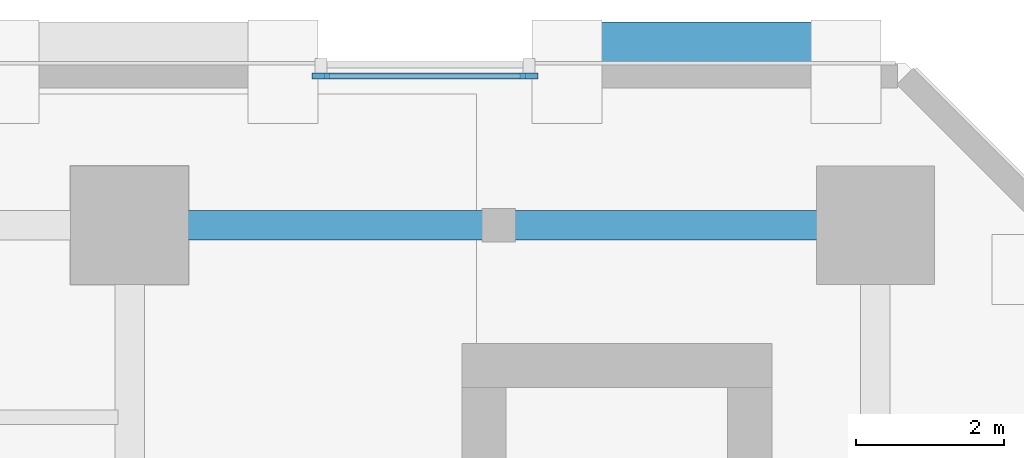
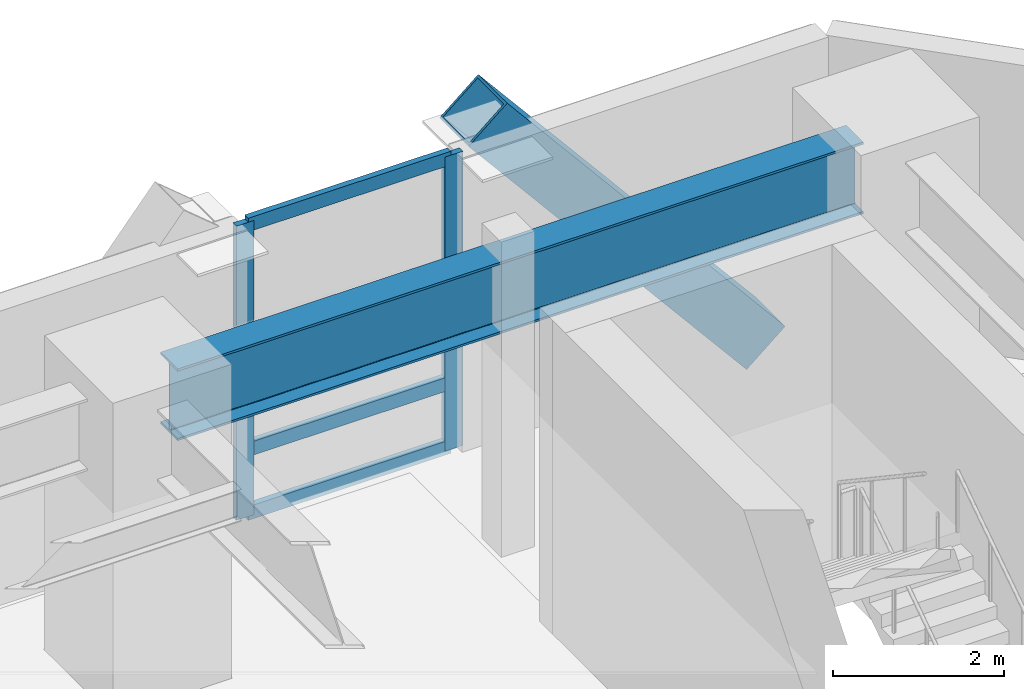
# One storey, part 11 of 26: 6 members, 1 beam, 1 element without a shape of its own.
"""IFC4 building model written with IfcOpenShell, lengths in metres."""

from ifc_helpers import new_model, si_unit, direction, frame, origin, origin_2d, place, context, subcontext, project, spatial, rectangle, hollow_rectangle, i_section, extrude, material, material_profile, profile_set, type_object, element, aggregate, save


model = new_model("IFC4")

# Units and contexts
model_context = context("Model", 3, precision=1e-05, world=origin(), true_north=direction((0.0, 1.0)))
body_context = subcontext(model_context, "Body", "Model", "MODEL_VIEW")
ifc_project = project(units=[si_unit("LENGTHUNIT", "METRE"), si_unit("AREAUNIT", "SQUARE_METRE"), si_unit("VOLUMEUNIT", "CUBIC_METRE"), si_unit("PLANEANGLEUNIT", "RADIAN"), si_unit("MASSUNIT", "GRAM", prefix="KILO")], contexts=[model_context])

# Site, building, storey
site_placement = place(None, origin())
site = spatial("IfcSite", under=ifc_project, at=site_placement, CompositionType="ELEMENT")
building_placement = place(site_placement, origin())
building = spatial("IfcBuilding", under=site, at=building_placement, Name="Quenlor Broadcast Tower", CompositionType="ELEMENT")
storey_placement = place(building_placement, frame((0.0, 0.0, 5.0)))
storey = spatial("IfcBuildingStorey", under=building, at=storey_placement, Name="L01", CompositionType="ELEMENT", Elevation=5.0)

# Curtain wall, members
ifc_material_1 = material(Name="Architectural Terracotta and Low-E Glazing", Category="masonry")
curtain_wall_type = type_object("IfcCurtainWallType", Name="Station Concourse and Crown Terracotta Curtain Wall", PredefinedType="NOTDEFINED", material=ifc_material_1)
curtain_wall_placement = place(storey_placement, origin())
curtain_wall = element("IfcCurtainWall", 1, at=curtain_wall_placement, inside=storey, type_object=curtain_wall_type, Name="L01 Curtain Wall CW6 (L01-N-FULL-G5)", PredefinedType="NOTDEFINED")
ifc_material_2 = material(Name="Aluminium 6063-T6", Category="aluminium")
ifc_material_profile_1 = material_profile(ifc_material_2, rectangle(XDim=0.08203125, YDim=0.239990234375, at=origin_2d()))
ifc_profile_set_1 = profile_set([ifc_material_profile_1], Name="Aluminium 6063-T6 MULL82x240")
member_type_1 = type_object("IfcMemberType", Name="CW6 Aluminium Mullion MULL_CW6", PredefinedType="MULLION", material=ifc_profile_set_1)
member_1_placement = place(storey_placement, frame((27.090576171875, 24.820068359375, 0.0), z_axis=(0.0, 0.0, 1.0), x_axis=(0.0, 1.0, 0.0)))
member_1 = element("IfcMember", 2, at=member_1_placement, type_object=member_type_1, Name="CW6 mullion 1", PredefinedType="MULLION", context=body_context, shape_type="SweptSolid", body=[
    extrude(rectangle(XDim=0.08203125, YDim=0.239990234375, at=origin_2d()), origin(), (0.0, 0.0, 1.0), 4.199951171875),
])
member_2_placement = place(storey_placement, frame((29.909423828125, 24.820068359375, 0.0), z_axis=(0.0, 0.0, 1.0), x_axis=(0.0, 1.0, 0.0)))
member_2 = element("IfcMember", 3, at=member_2_placement, type_object=member_type_1, Name="CW6 mullion 2", PredefinedType="MULLION", context=body_context, shape_type="SweptSolid", body=[
    extrude(rectangle(XDim=0.08203125, YDim=0.239990234375, at=origin_2d()), origin(), (0.0, 0.0, 1.0), 4.199951171875),
])
ifc_material_3 = material(Name="Aluminium 6063-T6", Category="aluminium")
ifc_material_profile_2 = material_profile(ifc_material_3, rectangle(XDim=0.08203125, YDim=0.195068359375, at=origin_2d()))
ifc_profile_set_2 = profile_set([ifc_material_profile_2], Name="Aluminium 6063-T6 TRAN82x195")
member_type_2 = type_object("IfcMemberType", Name="CW6 Aluminium Transom TRAN_CW6", PredefinedType="USERDEFINED", material=ifc_profile_set_2)
member_3_placement = place(storey_placement, frame((27.131591796875, 24.820068359375, 0.041015625), z_axis=(1.0, 0.0, 0.0), x_axis=(0.0, 1.0, 0.0)))
member_3 = element("IfcMember", 4, at=member_3_placement, type_object=member_type_2, Name="CW6 transom 1.1", ObjectType="TRANSOM", PredefinedType="USERDEFINED", context=body_context, shape_type="SweptSolid", body=[
    extrude(rectangle(XDim=0.08203125, YDim=0.195068359375, at=origin_2d()), origin(), (0.0, 0.0, 1.0), 2.73681640625),
])
member_4_placement = place(storey_placement, frame((27.131591796875, 24.820068359375, 0.949951171875), z_axis=(1.0, 0.0, 0.0), x_axis=(0.0, 1.0, 0.0)))
member_4 = element("IfcMember", 5, at=member_4_placement, type_object=member_type_2, Name="CW6 transom 1.2", ObjectType="TRANSOM", PredefinedType="USERDEFINED", context=body_context, shape_type="SweptSolid", body=[
    extrude(rectangle(XDim=0.08203125, YDim=0.195068359375, at=origin_2d()), origin(), (0.0, 0.0, 1.0), 2.73681640625),
])
member_5_placement = place(storey_placement, frame((27.131591796875, 24.820068359375, 4.158935546875), z_axis=(1.0, 0.0, 0.0), x_axis=(0.0, 1.0, 0.0)))
member_5 = element("IfcMember", 6, at=member_5_placement, type_object=member_type_2, Name="CW6 transom 1.3", ObjectType="TRANSOM", PredefinedType="USERDEFINED", context=body_context, shape_type="SweptSolid", body=[
    extrude(rectangle(XDim=0.08203125, YDim=0.195068359375, at=origin_2d()), origin(), (0.0, 0.0, 1.0), 2.73681640625),
])
aggregate(curtain_wall, [member_1, member_2, member_3, member_4, member_5])

# Member
ifc_material_4 = material(Name="Steel S355", Category="steel")
ifc_material_profile_3 = material_profile(ifc_material_4, hollow_rectangle(XDim=0.679931640625, YDim=0.679931640625, WallThickness=0.034912109375, at=origin_2d()))
ifc_profile_set_3 = profile_set([ifc_material_profile_3], Name="Steel S355 RHS680x680x35")
member_type_3 = type_object("IfcMemberType", Name="Perimeter Diagonal Lattice Brace Z1 Steel S355 RHS680x35", PredefinedType="BRACE", material=ifc_profile_set_3)
member_6_placement = place(storey_placement, frame((34.17724609375, 25.215087890625, -0.1201171875), z_axis=(-0.640626831312, 0.0, 0.767852370578), x_axis=(0.0, -1.0, 0.0)))
element("IfcMember", 7, at=member_6_placement, inside=storey, type_object=member_type_3, Name="L01 Podium Diamond Lattice N-P6B", PredefinedType="BRACE", context=body_context, shape_type="SweptSolid", body=[
    extrude(hollow_rectangle(XDim=0.679931640625, YDim=0.679931640625, WallThickness=0.034912109375, at=origin_2d()), origin(), (0.0, 0.0, 1.0), 5.860595703125),
])

# Beam
ifc_material_5 = material(Name="Steel S355", Category="steel")
ifc_material_profile_4 = material_profile(ifc_material_5, i_section(OverallWidth=0.39990234375, OverallDepth=1.02392578125, WebThickness=0.01611328125, FlangeThickness=0.031982421875, FilletRadius=0.01611328125, at=origin_2d()))
ifc_profile_set_4 = profile_set([ifc_material_profile_4], Name="Steel S355 1000WB322")
beam_type = type_object("IfcBeamType", Name="Podium Concourse Girder Steel S355 1000WB322", PredefinedType="BEAM", material=ifc_profile_set_4)
beam_placement = place(storey_placement, frame((24.919921875, 22.800048828125, 3.68798828125), z_axis=(1.0, 0.0, 0.0), x_axis=(0.0, 1.0, 0.0)))
element("IfcBeam", 8, at=beam_placement, inside=storey, type_object=beam_type, Name="L01 Podium Girder 33", PredefinedType="BEAM", context=body_context, shape_type="SweptSolid", body=[
    extrude(i_section(OverallWidth=0.39990234375, OverallDepth=1.02392578125, WebThickness=0.01611328125, FlangeThickness=0.031982421875, FilletRadius=0.01611328125, at=origin_2d()), origin(), (0.0, 0.0, 1.0), 9.260009765625),
])

save(model, "model.ifc")
